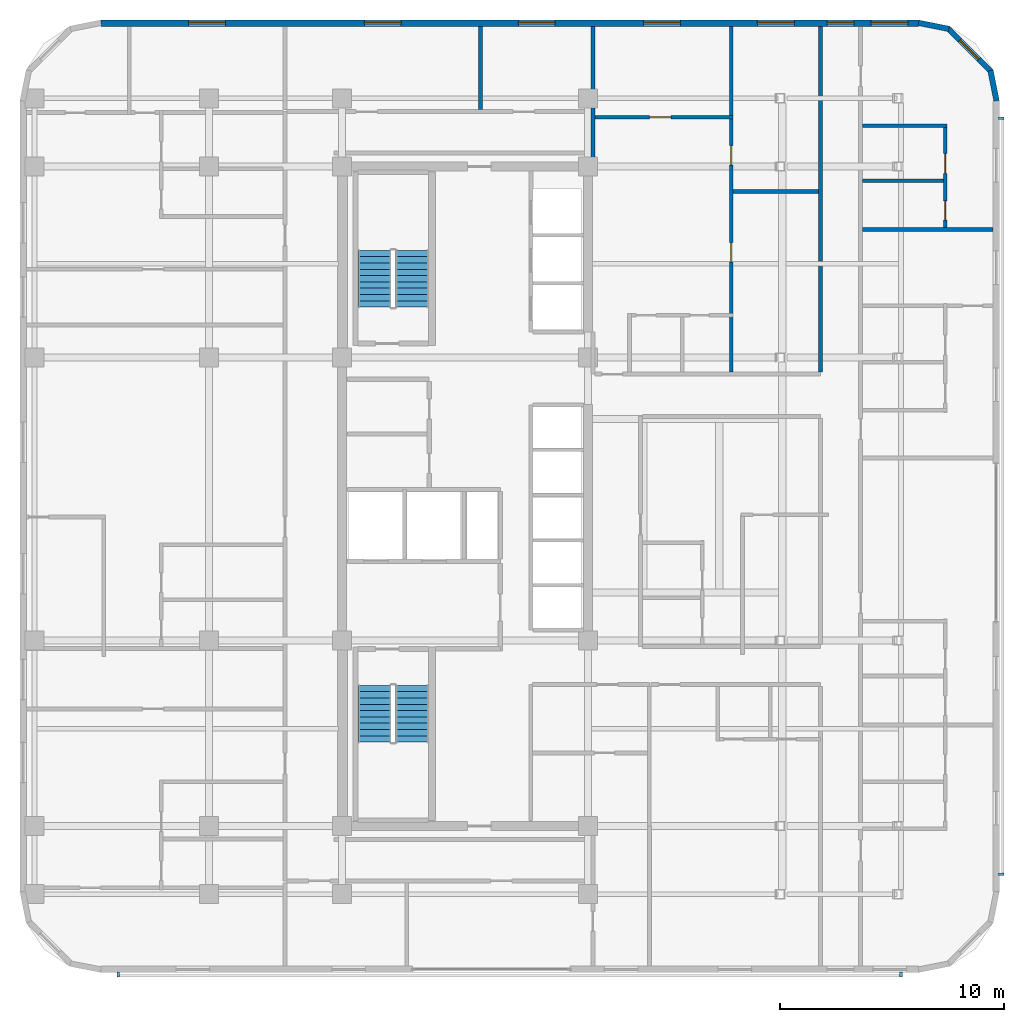
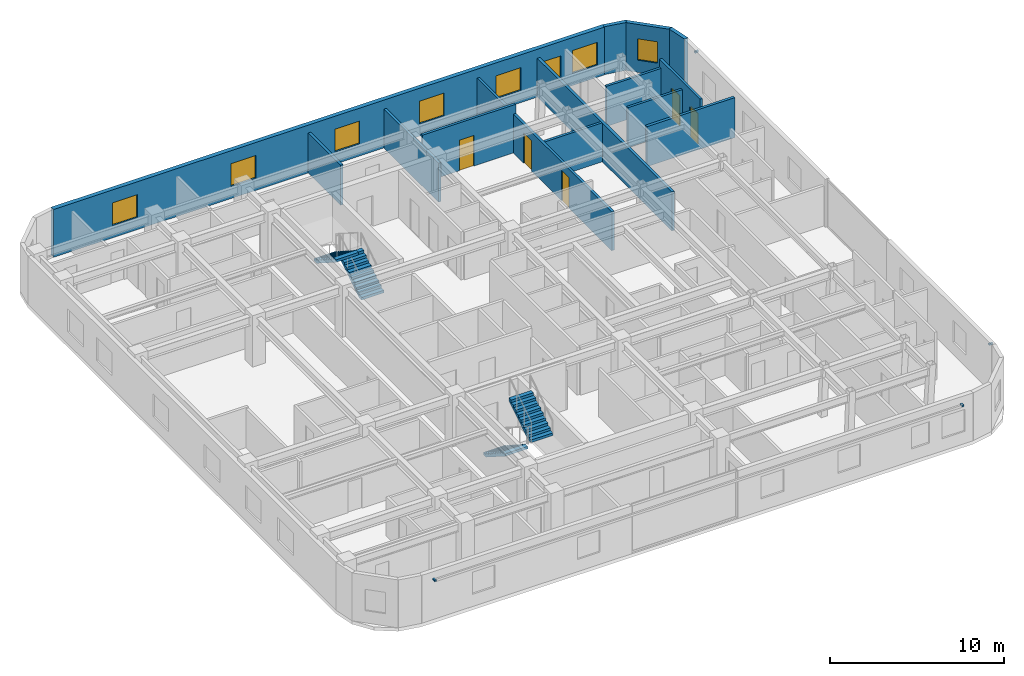
# One storey, part 10 of 14: 14 walls, 8 windows, 5 doors, 4 discrete accessories, 4 stair flights, 13 openings, 2 elements without a shape of their own.
"""IFC4 building model written with IfcOpenShell, lengths in metres."""

from ifc_helpers import new_model, si_unit, direction, frame, frame_2d, origin, origin_2d, place, context, subcontext, project, spatial, polyline, rectangle, outline, extrude, material, layer, layer_set, type_object, element, fill, aggregate, save


model = new_model("IFC4")

# Units and contexts
model_context = context("Model", 3, precision=1e-05, world=origin(), true_north=direction((0.0, 1.0)))
body_context = subcontext(model_context, "Body", "Model", "MODEL_VIEW")
ifc_project = project(units=[si_unit("LENGTHUNIT", "METRE"), si_unit("AREAUNIT", "SQUARE_METRE"), si_unit("VOLUMEUNIT", "CUBIC_METRE"), si_unit("PLANEANGLEUNIT", "RADIAN"), si_unit("MASSUNIT", "GRAM", prefix="KILO")], contexts=[model_context])

# Site, building, storey
site_placement = place(None, origin())
site = spatial("IfcSite", under=ifc_project, at=site_placement, CompositionType="ELEMENT")
building_placement = place(site_placement, origin())
building = spatial("IfcBuilding", under=site, at=building_placement, Name="Ochreholt Gables", CompositionType="ELEMENT")
storey_placement = place(building_placement, frame((0.0, 0.0, 109.800048828125)))
storey = spatial("IfcBuildingStorey", under=building, at=storey_placement, Name="L28", CompositionType="ELEMENT", Elevation=109.800048828125)

# Wall, openings, windows
ifc_material_1 = material(Name="Precast concrete 40 MPa", Category="concrete")
ifc_layer_1 = layer(ifc_material_1, 0.280029296875, Name="Precast concrete 40 MPa")
ifc_layer_set_1 = layer_set([ifc_layer_1], Name="Precast concrete 40 MPa")
wall_type_1 = type_object("IfcWallType", Name="WALL-EXT-280", PredefinedType="SOLIDWALL", material=ifc_layer_set_1)
wall_1_placement = place(storey_placement, frame((49.97998046875, 45.159912109375, 0.0), z_axis=(0.0, 0.0, 1.0), x_axis=(-1.0, 0.0, 0.0)))
wall_1 = element("IfcWall", 1, at=wall_1_placement, inside=storey, type_object=wall_type_1, Name="L28 North Exterior Wall", PredefinedType="SOLIDWALL", context=body_context, shape_type="SweptSolid", body=[
    extrude(rectangle(XDim=36.56005859375, YDim=0.280029296875, at=frame_2d((18.280029296875, 0.0))), origin(), (0.0, 0.0, 1.0), 3.35986328125),
])
opening_1_placement = place(wall_1_placement, frame((30.989990234375, 0.0, 0.85009765625)))
opening_1 = element("IfcOpeningElement", 2, at=opening_1_placement, cuts=wall_1, Name="Opening WN-7", PredefinedType="OPENING", context=body_context, shape_type="SweptSolid", body=[
    extrude(rectangle(XDim=1.64990234375, YDim=1.60009765625, at=frame_2d((0.824951171875, 0.800048828125))), frame((0.0, 0.14990234375, 0.0), z_axis=(0.0, -1.0, 0.0), x_axis=(1.0, 0.0, 0.0)), (0.0, 0.0, 1.0), 0.300048828125),
])
opening_2_placement = place(wall_1_placement, frame((23.1298828125, 0.0, 0.85009765625)))
opening_2 = element("IfcOpeningElement", 3, at=opening_2_placement, cuts=wall_1, Name="Opening WN-7", PredefinedType="OPENING", context=body_context, shape_type="SweptSolid", body=[
    extrude(rectangle(XDim=1.64990234375, YDim=1.60009765625, at=frame_2d((0.824951171875, 0.800048828125))), frame((0.0, 0.14990234375, 0.0), z_axis=(0.0, -1.0, 0.0), x_axis=(1.0, 0.0, 0.0)), (0.0, 0.0, 1.0), 0.300048828125),
])
opening_3_placement = place(wall_1_placement, frame((16.2451171875, 0.0, 0.85009765625)))
opening_3 = element("IfcOpeningElement", 4, at=opening_3_placement, cuts=wall_1, Name="Opening WN-7", PredefinedType="OPENING", context=body_context, shape_type="SweptSolid", body=[
    extrude(rectangle(XDim=1.64990234375, YDim=1.60009765625, at=frame_2d((0.824951171875, 0.800048828125))), frame((0.0, 0.14990234375, 0.0), z_axis=(0.0, -1.0, 0.0), x_axis=(1.0, 0.0, 0.0)), (0.0, 0.0, 1.0), 0.300048828125),
])
opening_4_placement = place(wall_1_placement, frame((10.639892578125, 0.0, 0.85009765625)))
opening_4 = element("IfcOpeningElement", 5, at=opening_4_placement, cuts=wall_1, Name="Opening WN-7", PredefinedType="OPENING", context=body_context, shape_type="SweptSolid", body=[
    extrude(rectangle(XDim=1.64990234375, YDim=1.60009765625, at=frame_2d((0.824951171875, 0.800048828125))), frame((0.0, 0.14990234375, 0.0), z_axis=(0.0, -1.0, 0.0), x_axis=(1.0, 0.0, 0.0)), (0.0, 0.0, 1.0), 0.300048828125),
])
opening_5_placement = place(wall_1_placement, frame((5.550048828125, 0.0, 0.85009765625)))
opening_5 = element("IfcOpeningElement", 6, at=opening_5_placement, cuts=wall_1, Name="Opening WN-7", PredefinedType="OPENING", context=body_context, shape_type="SweptSolid", body=[
    extrude(rectangle(XDim=1.64990234375, YDim=1.60009765625, at=frame_2d((0.824951171875, 0.800048828125))), frame((0.0, 0.14990234375, 0.0), z_axis=(0.0, -1.0, 0.0), x_axis=(1.0, 0.0, 0.0)), (0.0, 0.0, 1.0), 0.300048828125),
])
opening_6_placement = place(wall_1_placement, frame((2.8798828125, 0.0, 0.85009765625)))
opening_6 = element("IfcOpeningElement", 7, at=opening_6_placement, cuts=wall_1, Name="Opening WN-3", PredefinedType="OPENING", context=body_context, shape_type="SweptSolid", body=[
    extrude(rectangle(XDim=1.199951171875, YDim=1.5, at=frame_2d((0.60009765625, 0.75))), frame((0.0, 0.14990234375, 0.0), z_axis=(0.0, -1.0, 0.0), x_axis=(1.0, 0.0, 0.0)), (0.0, 0.0, 1.0), 0.300048828125),
])
opening_7_placement = place(wall_1_placement, frame((0.465087890625, 0.0, 0.85009765625)))
opening_7 = element("IfcOpeningElement", 8, at=opening_7_placement, cuts=wall_1, Name="Opening WN-7", PredefinedType="OPENING", context=body_context, shape_type="SweptSolid", body=[
    extrude(rectangle(XDim=1.64990234375, YDim=1.60009765625, at=frame_2d((0.824951171875, 0.800048828125))), frame((0.0, 0.14990234375, 0.0), z_axis=(0.0, -1.0, 0.0), x_axis=(1.0, 0.0, 0.0)), (0.0, 0.0, 1.0), 0.300048828125),
])
ifc_material_2 = material(Name="Triple-Glazed Thermally Broken Aluminium Window", Category="aluminium")
window_type_1 = type_object("IfcWindowType", Name="WIN-RES-1200", PartitioningType="SINGLE_PANEL", PredefinedType="WINDOW", material=ifc_material_2)
window_1_placement = place(opening_6_placement, origin())
window_1 = element("IfcWindow", 9, at=window_1_placement, inside=storey, type_object=window_type_1, Name="L28 Window W-EXT-N-L28-6", OverallHeight=1.5, OverallWidth=1.199951171875, PartitioningType="SINGLE_PANEL", PredefinedType="WINDOW", context=body_context, shape_type="SweptSolid", body=[
    extrude(rectangle(XDim=1.199951171875, YDim=1.5, at=frame_2d((0.60009765625, 0.75))), frame((0.0, 0.030029296875, 0.0), z_axis=(0.0, -1.0, 0.0), x_axis=(1.0, 0.0, 0.0)), (0.0, 0.0, 1.0), 0.06005859375),
])
fill(opening_6, window_1)
window_type_2 = type_object("IfcWindowType", Name="WIN-RES-1650", PartitioningType="SINGLE_PANEL", PredefinedType="WINDOW", material=ifc_material_2)
window_2_placement = place(opening_1_placement, origin())
window_2 = element("IfcWindow", 10, at=window_2_placement, inside=storey, type_object=window_type_2, Name="L28 Window W-EXT-N-L28-1", OverallHeight=1.60009765625, OverallWidth=1.64990234375, PartitioningType="SINGLE_PANEL", PredefinedType="WINDOW", context=body_context, shape_type="SweptSolid", body=[
    extrude(rectangle(XDim=1.64990234375, YDim=1.60009765625, at=frame_2d((0.824951171875, 0.800048828125))), frame((0.0, 0.030029296875, 0.0), z_axis=(0.0, -1.0, 0.0), x_axis=(1.0, 0.0, 0.0)), (0.0, 0.0, 1.0), 0.06005859375),
])
fill(opening_1, window_2)
window_3_placement = place(opening_2_placement, origin())
window_3 = element("IfcWindow", 11, at=window_3_placement, inside=storey, type_object=window_type_2, Name="L28 Window W-EXT-N-L28-2", OverallHeight=1.60009765625, OverallWidth=1.64990234375, PartitioningType="SINGLE_PANEL", PredefinedType="WINDOW", context=body_context, shape_type="SweptSolid", body=[
    extrude(rectangle(XDim=1.64990234375, YDim=1.60009765625, at=frame_2d((0.824951171875, 0.800048828125))), frame((0.0, 0.030029296875, 0.0), z_axis=(0.0, -1.0, 0.0), x_axis=(1.0, 0.0, 0.0)), (0.0, 0.0, 1.0), 0.06005859375),
])
fill(opening_2, window_3)
window_4_placement = place(opening_3_placement, origin())
window_4 = element("IfcWindow", 12, at=window_4_placement, inside=storey, type_object=window_type_2, Name="L28 Window W-EXT-N-L28-3", OverallHeight=1.60009765625, OverallWidth=1.64990234375, PartitioningType="SINGLE_PANEL", PredefinedType="WINDOW", context=body_context, shape_type="SweptSolid", body=[
    extrude(rectangle(XDim=1.64990234375, YDim=1.60009765625, at=frame_2d((0.824951171875, 0.800048828125))), frame((0.0, 0.030029296875, 0.0), z_axis=(0.0, -1.0, 0.0), x_axis=(1.0, 0.0, 0.0)), (0.0, 0.0, 1.0), 0.06005859375),
])
fill(opening_3, window_4)
window_5_placement = place(opening_4_placement, origin())
window_5 = element("IfcWindow", 13, at=window_5_placement, inside=storey, type_object=window_type_2, Name="L28 Window W-EXT-N-L28-4", OverallHeight=1.60009765625, OverallWidth=1.64990234375, PartitioningType="SINGLE_PANEL", PredefinedType="WINDOW", context=body_context, shape_type="SweptSolid", body=[
    extrude(rectangle(XDim=1.64990234375, YDim=1.60009765625, at=frame_2d((0.824951171875, 0.800048828125))), frame((0.0, 0.030029296875, 0.0), z_axis=(0.0, -1.0, 0.0), x_axis=(1.0, 0.0, 0.0)), (0.0, 0.0, 1.0), 0.06005859375),
])
fill(opening_4, window_5)
window_6_placement = place(opening_5_placement, origin())
window_6 = element("IfcWindow", 14, at=window_6_placement, inside=storey, type_object=window_type_2, Name="L28 Window W-EXT-N-L28-5", OverallHeight=1.60009765625, OverallWidth=1.64990234375, PartitioningType="SINGLE_PANEL", PredefinedType="WINDOW", context=body_context, shape_type="SweptSolid", body=[
    extrude(rectangle(XDim=1.64990234375, YDim=1.60009765625, at=frame_2d((0.824951171875, 0.800048828125))), frame((0.0, 0.030029296875, 0.0), z_axis=(0.0, -1.0, 0.0), x_axis=(1.0, 0.0, 0.0)), (0.0, 0.0, 1.0), 0.06005859375),
])
fill(opening_5, window_6)
window_7_placement = place(opening_7_placement, origin())
window_7 = element("IfcWindow", 15, at=window_7_placement, inside=storey, type_object=window_type_2, Name="L28 Window W-EXT-N-L28-7", OverallHeight=1.60009765625, OverallWidth=1.64990234375, PartitioningType="SINGLE_PANEL", PredefinedType="WINDOW", context=body_context, shape_type="SweptSolid", body=[
    extrude(rectangle(XDim=1.64990234375, YDim=1.60009765625, at=frame_2d((0.824951171875, 0.800048828125))), frame((0.0, 0.030029296875, 0.0), z_axis=(0.0, -1.0, 0.0), x_axis=(1.0, 0.0, 0.0)), (0.0, 0.0, 1.0), 0.06005859375),
])
fill(opening_7, window_7)

# Wall
ifc_layer_2 = layer(ifc_material_1, 0.25, Name="Precast concrete 40 MPa")
ifc_layer_set_2 = layer_set([ifc_layer_2], Name="Precast concrete 40 MPa")
wall_type_2 = type_object("IfcWallType", Name="WALL-EXT-CNR", PredefinedType="SOLIDWALL", material=ifc_layer_set_2)
wall_2_placement = place(storey_placement, frame((53.475830078125, 41.68359375, 0.0), z_axis=(0.0, 0.0, 1.0), x_axis=(-0.195000137217, 0.980803214965, 0.0)))
element("IfcWall", 16, at=wall_2_placement, inside=storey, type_object=wall_type_2, Name="L28 Rounded Corner Wall NE-1", PredefinedType="SOLIDWALL", context=body_context, shape_type="SweptSolid", body=[
    extrude(rectangle(XDim=1.388427734375, YDim=0.25, at=frame_2d((0.6943359375, 0.0))), origin(), (0.0, 0.0, 1.0), 3.35986328125),
])

# Wall, opening, window
wall_3_placement = place(storey_placement, frame((53.23193359375, 42.9951171875, 0.0), z_axis=(0.0, 0.0, 1.0), x_axis=(-0.707151344399, 0.707062215165, 0.0)))
wall_3 = element("IfcWall", 17, at=wall_3_placement, inside=storey, type_object=wall_type_2, Name="L28 Rounded Corner Wall NE-2", PredefinedType="SOLIDWALL", context=body_context, shape_type="SweptSolid", body=[
    extrude(rectangle(XDim=2.7392578125, YDim=0.25, at=frame_2d((1.36962890625, 0.0))), origin(), (0.0, 0.0, 1.0), 3.35986328125),
])
opening_8_placement = place(wall_3_placement, frame((0.769775390625, 0.0, 0.85009765625)))
opening_8 = element("IfcOpeningElement", 18, at=opening_8_placement, cuts=wall_3, Name="Opening WN-3", PredefinedType="OPENING", context=body_context, shape_type="SweptSolid", body=[
    extrude(rectangle(XDim=1.199951171875, YDim=1.5, at=frame_2d((0.60009765625, 0.75))), frame((0.0, 0.135009765625, 0.0), z_axis=(0.0, -1.0, 0.0), x_axis=(1.0, 0.0, 0.0)), (0.0, 0.0, 1.0), 0.27001953125),
])
window_8_placement = place(opening_8_placement, origin())
window_8 = element("IfcWindow", 19, at=window_8_placement, inside=storey, type_object=window_type_1, Name="L28 Corner Bedroom Window NE", OverallHeight=1.5, OverallWidth=1.199951171875, PartitioningType="SINGLE_PANEL", PredefinedType="WINDOW", context=body_context, shape_type="SweptSolid", body=[
    extrude(rectangle(XDim=1.199951171875, YDim=1.5, at=frame_2d((0.60009765625, 0.75))), frame((0.0, 0.030029296875, 0.0), z_axis=(0.0, -1.0, 0.0), x_axis=(1.0, 0.0, 0.0)), (0.0, 0.0, 1.0), 0.06005859375),
])
fill(opening_8, window_8)

# Walls
wall_4_placement = place(storey_placement, frame((51.345458984375, 44.905029296875, 0.0), z_axis=(0.0, 0.0, 1.0), x_axis=(-0.980809899341, 0.19496651342, 0.0)))
element("IfcWall", 20, at=wall_4_placement, inside=storey, type_object=wall_type_2, Name="L28 Rounded Corner Wall NE-3", PredefinedType="SOLIDWALL", context=body_context, shape_type="SweptSolid", body=[
    extrude(rectangle(XDim=1.388671875, YDim=0.25, at=frame_2d((0.6943359375, 0.0))), origin(), (0.0, 0.0, 1.0), 3.35986328125),
])
ifc_material_3 = material(Name="Fire-Rated Gypsum Acoustic Partition", Category="gypsum")
ifc_layer_3 = layer(ifc_material_3, 0.179931640625, Name="Fire-Rated Gypsum Acoustic Partition")
ifc_layer_set_3 = layer_set([ifc_layer_3], Name="Fire-Rated Gypsum Acoustic Partition")
wall_type_3 = type_object("IfcWallType", Name="WALL-INT-CR180", PredefinedType="STANDARD", material=ifc_layer_set_3)
wall_5_placement = place(storey_placement, frame((45.60009765625, 29.550048828125, 0.0), z_axis=(0.0, 0.0, 1.0), x_axis=(0.0, 1.0, 0.0)))
element("IfcWall", 21, at=wall_5_placement, inside=storey, type_object=wall_type_3, Name="L28 Interior Wall WI-C2FEGW3-L28", PredefinedType="STANDARD", context=body_context, shape_type="SweptSolid", body=[
    extrude(rectangle(XDim=15.469970703125, YDim=0.179931640625, at=frame_2d((7.73486328125, 0.0))), origin(), (0.0, 0.0, 1.0), 2.73095703125),
])
ifc_material_4 = material(Name="Double-Stud Acoustic Demising Wall", Category="gypsum")
ifc_layer_4 = layer(ifc_material_4, 0.179931640625, Name="Double-Stud Acoustic Demising Wall")
ifc_layer_set_4 = layer_set([ifc_layer_4], Name="Double-Stud Acoustic Demising Wall")
wall_type_4 = type_object("IfcWallType", Name="WALL-INT-DM180", PredefinedType="PARTITIONING", material=ifc_layer_set_4)
wall_6_placement = place(storey_placement, frame((35.419921875, 38.75, 0.0), z_axis=(0.0, 0.0, 1.0), x_axis=(0.0, 1.0, 0.0)))
element("IfcWall", 22, at=wall_6_placement, inside=storey, type_object=wall_type_4, Name="L28 Interior Wall WI-C2NEN-L28", PredefinedType="PARTITIONING", context=body_context, shape_type="SweptSolid", body=[
    extrude(rectangle(XDim=6.27001953125, YDim=0.179931640625, at=frame_2d((3.135009765625, 0.0))), origin(), (0.0, 0.0, 1.0), 2.73095703125),
])
wall_7_placement = place(storey_placement, frame((47.489990234375, 35.927978515625, 0.0), z_axis=(0.0, 0.0, 1.0), x_axis=(1.0, 0.0, 0.0)))
element("IfcWall", 23, at=wall_7_placement, inside=storey, type_object=wall_type_4, Name="L28 Interior Wall WI-C2FED4-L28", PredefinedType="PARTITIONING", context=body_context, shape_type="SweptSolid", body=[
    extrude(rectangle(XDim=5.830078125, YDim=0.179931640625, at=frame_2d((2.9150390625, 0.0))), origin(), (0.0, 0.0, 1.0), 2.808837890625),
])
ifc_material_5 = material(Name="Moisture-Resistant Plumbing Chase Wall", Category="gypsum")
ifc_layer_5 = layer(ifc_material_5, 0.159912109375, Name="Moisture-Resistant Plumbing Chase Wall")
ifc_layer_set_5 = layer_set([ifc_layer_5], Name="Moisture-Resistant Plumbing Chase Wall")
wall_type_5 = type_object("IfcWallType", Name="WALL-INT-PL160", PredefinedType="PLUMBINGWALL", material=ifc_layer_set_5)
wall_8_placement = place(storey_placement, frame((47.489990234375, 40.568115234375, 0.0), z_axis=(0.0, 0.0, 1.0), x_axis=(1.0, 0.0, 0.0)))
element("IfcWall", 24, at=wall_8_placement, inside=storey, type_object=wall_type_5, Name="L28 Interior Wall WU-L28FE4-WYN", PredefinedType="PLUMBINGWALL", context=body_context, shape_type="SweptSolid", body=[
    extrude(rectangle(XDim=3.775146484375, YDim=0.159912109375, at=frame_2d((1.8876953125, 0.0))), origin(), (0.0, 0.0, 1.0), 2.808837890625),
])

# Wall, openings, doors
wall_9_placement = place(storey_placement, frame((51.185302734375, 36.01806640625, 0.0), z_axis=(0.0, 0.0, 1.0), x_axis=(0.0, 1.0, 0.0)))
wall_9 = element("IfcWall", 25, at=wall_9_placement, inside=storey, type_object=wall_type_5, Name="L28 Interior Wall WU-L28FE4-WX", PredefinedType="PLUMBINGWALL", context=body_context, shape_type="SweptSolid", body=[
    extrude(rectangle(XDim=4.639892578125, YDim=0.159912109375, at=frame_2d((2.31982421875, 0.0))), origin(), (0.0, 0.0, 1.0), 3.35986328125),
])
opening_9_placement = place(wall_9_placement, frame((0.330078125, 0.0, 0.0)))
opening_9 = element("IfcOpeningElement", 26, at=opening_9_placement, cuts=wall_9, Name="Opening D-BT1", PredefinedType="OPENING", context=body_context, shape_type="SweptSolid", body=[
    extrude(rectangle(XDim=0.860107421875, YDim=2.1201171875, at=frame_2d((0.43017578125, 1.06005859375))), frame((0.0, 0.08984375, 0.0), z_axis=(0.0, -1.0, 0.0), x_axis=(1.0, 0.0, 0.0)), (0.0, 0.0, 1.0), 0.179931640625),
])
opening_10_placement = place(wall_9_placement, frame((2.423095703125, 0.0, 0.0)))
opening_10 = element("IfcOpeningElement", 27, at=opening_10_placement, cuts=wall_9, Name="Opening D-GN2", PredefinedType="OPENING", context=body_context, shape_type="SweptSolid", body=[
    extrude(rectangle(XDim=0.8798828125, YDim=2.1201171875, at=frame_2d((0.43994140625, 1.06005859375))), frame((0.0, 0.08984375, 0.0), z_axis=(0.0, -1.0, 0.0), x_axis=(1.0, 0.0, 0.0)), (0.0, 0.0, 1.0), 0.179931640625),
])
ifc_material_6 = material(Name="Engineered Oak Timber", Category="wood")
door_type_1 = type_object("IfcDoorType", Name="DR-INT-BTH860", OperationType="NOTDEFINED", PredefinedType="DOOR", material=ifc_material_6)
door_1_placement = place(opening_9_placement, origin())
door_1 = element("IfcDoor", 28, at=door_1_placement, inside=storey, type_object=door_type_1, Name="L28 Door D-U-L28FE4-BTH", OperationType="SINGLE_SWING_LEFT", OverallHeight=2.1201171875, OverallWidth=0.860107421875, PredefinedType="DOOR", context=body_context, shape_type="SweptSolid", body=[
    extrude(rectangle(XDim=0.860107421875, YDim=2.1201171875, at=frame_2d((0.43017578125, 1.06005859375))), frame((0.0, 0.02490234375, 0.0), z_axis=(0.0, -1.0, 0.0), x_axis=(1.0, 0.0, 0.0)), (0.0, 0.0, 1.0), 0.050048828125),
])
fill(opening_9, door_1)
door_type_2 = type_object("IfcDoorType", Name="DR-INT-GEN880", OperationType="NOTDEFINED", PredefinedType="DOOR", material=ifc_material_6)
door_2_placement = place(opening_10_placement, origin())
door_2 = element("IfcDoor", 29, at=door_2_placement, inside=storey, type_object=door_type_2, Name="L28 Door D-U-L28FE4-KIT", OperationType="SINGLE_SWING_RIGHT", OverallHeight=2.1201171875, OverallWidth=0.8798828125, PredefinedType="DOOR", context=body_context, shape_type="SweptSolid", body=[
    extrude(rectangle(XDim=0.8798828125, YDim=2.1201171875, at=frame_2d((0.43994140625, 1.06005859375))), frame((0.0, 0.02490234375, 0.0), z_axis=(0.0, -1.0, 0.0), x_axis=(1.0, 0.0, 0.0)), (0.0, 0.0, 1.0), 0.050048828125),
])
fill(opening_10, door_2)

# Wall
wall_10_placement = place(storey_placement, frame((47.489990234375, 38.111083984375, 0.0), z_axis=(0.0, 0.0, 1.0), x_axis=(1.0, 0.0, 0.0)))
element("IfcWall", 30, at=wall_10_placement, inside=storey, type_object=wall_type_5, Name="L28 Interior Wall WU-L28FE4-WM", PredefinedType="PLUMBINGWALL", context=body_context, shape_type="SweptSolid", body=[
    extrude(rectangle(XDim=3.615234375, YDim=0.159912109375, at=frame_2d((1.8076171875, 0.0))), origin(), (0.0, 0.0, 1.0), 2.808837890625),
])

# Wall, openings, doors
ifc_material_7 = material(Name="Gypsum Acoustic Stud Partition", Category="gypsum")
ifc_layer_6 = layer(ifc_material_7, 0.1650390625, Name="Gypsum Acoustic Stud Partition")
ifc_layer_set_6 = layer_set([ifc_layer_6], Name="Gypsum Acoustic Stud Partition")
wall_type_6 = type_object("IfcWallType", Name="WALL-INT-PT165", PredefinedType="PARTITIONING", material=ifc_layer_set_6)
wall_11_placement = place(storey_placement, frame((41.610107421875, 29.550048828125, 0.0), z_axis=(0.0, 0.0, 1.0), x_axis=(0.0, 1.0, 0.0)))
wall_11 = element("IfcWall", 31, at=wall_11_placement, inside=storey, type_object=wall_type_6, Name="L28 Interior Wall WU-L28N1-MNX", PredefinedType="PARTITIONING", context=body_context, shape_type="SweptSolid", body=[
    extrude(rectangle(XDim=15.469970703125, YDim=0.1650390625, at=frame_2d((7.73486328125, 0.0))), origin(), (0.0, 0.0, 1.0), 2.73095703125),
])
opening_11_placement = place(wall_11_placement, frame((4.91748046875, 0.0, 0.0)))
opening_11 = element("IfcOpeningElement", 32, at=opening_11_placement, cuts=wall_11, Name="Opening D-BD2", PredefinedType="OPENING", context=body_context, shape_type="SweptSolid", body=[
    extrude(rectangle(XDim=0.8798828125, YDim=2.139892578125, at=frame_2d((0.43994140625, 1.06982421875))), frame((0.0, 0.092529296875, 0.0), z_axis=(0.0, -1.0, 0.0), x_axis=(1.0, 0.0, 0.0)), (0.0, 0.0, 1.0), 0.18505859375),
])
opening_12_placement = place(wall_11_placement, frame((9.2548828125, 0.0, 0.0)))
opening_12 = element("IfcOpeningElement", 33, at=opening_12_placement, cuts=wall_11, Name="Opening D-GN2", PredefinedType="OPENING", context=body_context, shape_type="SweptSolid", body=[
    extrude(rectangle(XDim=0.8798828125, YDim=2.1201171875, at=frame_2d((0.43994140625, 1.06005859375))), frame((0.0, 0.092529296875, 0.0), z_axis=(0.0, -1.0, 0.0), x_axis=(1.0, 0.0, 0.0)), (0.0, 0.0, 1.0), 0.18505859375),
])
door_type_3 = type_object("IfcDoorType", Name="DR-INT-BED880", OperationType="NOTDEFINED", PredefinedType="DOOR", material=ifc_material_6)
door_3_placement = place(opening_11_placement, origin())
door_3 = element("IfcDoor", 34, at=door_3_placement, inside=storey, type_object=door_type_3, Name="L28 Door D-U-L28N1-BD1", OperationType="SINGLE_SWING_LEFT", OverallHeight=2.139892578125, OverallWidth=0.8798828125, PredefinedType="DOOR", context=body_context, shape_type="SweptSolid", body=[
    extrude(rectangle(XDim=0.8798828125, YDim=2.139892578125, at=frame_2d((0.43994140625, 1.06982421875))), frame((0.0, 0.02490234375, 0.0), z_axis=(0.0, -1.0, 0.0), x_axis=(1.0, 0.0, 0.0)), (0.0, 0.0, 1.0), 0.050048828125),
])
fill(opening_11, door_3)
door_4_placement = place(opening_12_placement, origin())
door_4 = element("IfcDoor", 35, at=door_4_placement, inside=storey, type_object=door_type_2, Name="L28 Door D-U-L28N1-BD2", OperationType="SINGLE_SWING_RIGHT", OverallHeight=2.1201171875, OverallWidth=0.8798828125, PredefinedType="DOOR", context=body_context, shape_type="SweptSolid", body=[
    extrude(rectangle(XDim=0.8798828125, YDim=2.1201171875, at=frame_2d((0.43994140625, 1.06005859375))), frame((0.0, 0.02490234375, 0.0), z_axis=(0.0, -1.0, 0.0), x_axis=(1.0, 0.0, 0.0)), (0.0, 0.0, 1.0), 0.050048828125),
])
fill(opening_12, door_4)

# Wall, opening, door
wall_12_placement = place(storey_placement, frame((35.510009765625, 40.949951171875, 0.0), z_axis=(0.0, 0.0, 1.0), x_axis=(1.0, 0.0, 0.0)))
wall_12 = element("IfcWall", 36, at=wall_12_placement, inside=storey, type_object=wall_type_6, Name="L28 Interior Wall WU-L28N1-DNY", PredefinedType="PARTITIONING", context=body_context, shape_type="SweptSolid", body=[
    extrude(rectangle(XDim=6.179931640625, YDim=0.1650390625, at=frame_2d((3.08984375, 0.0))), origin(), (0.0, 0.0, 1.0), 3.35986328125),
])
opening_13_placement = place(wall_12_placement, frame((2.455078125, 0.0, 0.0)))
opening_13 = element("IfcOpeningElement", 37, at=opening_13_placement, cuts=wall_12, Name="Opening D-GN1", PredefinedType="OPENING", context=body_context, shape_type="SweptSolid", body=[
    extrude(rectangle(XDim=0.949951171875, YDim=2.14990234375, at=frame_2d((0.47509765625, 1.074951171875))), frame((0.0, 0.092529296875, 0.0), z_axis=(0.0, -1.0, 0.0), x_axis=(1.0, 0.0, 0.0)), (0.0, 0.0, 1.0), 0.18505859375),
])
door_type_4 = type_object("IfcDoorType", Name="DR-INT-GEN950", OperationType="NOTDEFINED", PredefinedType="DOOR", material=ifc_material_6)
door_5_placement = place(opening_13_placement, origin())
door_5 = element("IfcDoor", 38, at=door_5_placement, inside=storey, type_object=door_type_4, Name="L28 Door D-U-L28N1-DIN", OperationType="SINGLE_SWING_RIGHT", OverallHeight=2.14990234375, OverallWidth=0.949951171875, PredefinedType="DOOR", context=body_context, shape_type="SweptSolid", body=[
    extrude(rectangle(XDim=0.949951171875, YDim=2.14990234375, at=frame_2d((0.47509765625, 1.074951171875))), frame((0.0, 0.02490234375, 0.0), z_axis=(0.0, -1.0, 0.0), x_axis=(1.0, 0.0, 0.0)), (0.0, 0.0, 1.0), 0.050048828125),
])
fill(opening_13, door_5)

# Walls
wall_13_placement = place(storey_placement, frame((41.68994140625, 37.6298828125, 0.0), z_axis=(0.0, 0.0, 1.0), x_axis=(1.0, 0.0, 0.0)))
element("IfcWall", 39, at=wall_13_placement, inside=storey, type_object=wall_type_6, Name="L28 Interior Wall WU-L28N1-RDV", PredefinedType="PARTITIONING", context=body_context, shape_type="SweptSolid", body=[
    extrude(rectangle(XDim=3.820068359375, YDim=0.1650390625, at=frame_2d((1.91015625, 0.0))), origin(), (0.0, 0.0, 1.0), 2.73095703125),
])
wall_14_placement = place(storey_placement, frame((30.39990234375, 41.2900390625, 0.0), z_axis=(0.0, 0.0, 1.0), x_axis=(0.0, 1.0, 0.0)))
element("IfcWall", 40, at=wall_14_placement, inside=storey, type_object=wall_type_6, Name="L28 Interior Wall WI-C2PKN-L28", PredefinedType="PARTITIONING", context=body_context, shape_type="SweptSolid", body=[
    extrude(rectangle(XDim=3.72998046875, YDim=0.1650390625, at=frame_2d((1.864990234375, 0.0))), origin(), (0.0, 0.0, 1.0), 2.808837890625),
])

# Stair, stair flights
ifc_material_8 = material(Name="Concrete 40 MPa", Category="concrete")
stair_type_1 = type_object("IfcStairType", Name="STAIR-CORE-ST-1", PredefinedType="HALF_TURN_STAIR", material=ifc_material_8)
stair_1_placement = place(storey_placement, origin())
stair_1 = element("IfcStair", 41, at=stair_1_placement, inside=storey, type_object=stair_type_1, Name="L28 Core Exit Stair 1", PredefinedType="HALF_TURN_STAIR")
stair_flight_type = type_object("IfcStairFlightType", Name="FLIGHT-ST-1480-1800", PredefinedType="STRAIGHT", material=ifc_material_8)
stair_flight_1_placement = place(storey_placement, frame((25.659912109375, 15.5400390625, 0.0), z_axis=(0.0, 0.0, 1.0), x_axis=(0.0, -1.0, 0.0)))
stair_flight_1 = element("IfcStairFlight", 42, at=stair_flight_1_placement, type_object=stair_flight_type, Name="ST-1 flight 1", NumberOfRisers=10, NumberOfTreads=9, PredefinedType="STRAIGHT", RiserHeight=0.18, TreadLength=0.282, context=body_context, shape_type="SweptSolid", body=[
    extrude(outline(polyline([(0.0, 0.0), (0.0, 0.179931640625), (0.281982421875, 0.179931640625), (0.281982421875, 0.360107421875), (0.56396484375, 0.360107421875), (0.56396484375, 0.5400390625), (0.845947265625, 0.5400390625), (0.845947265625, 0.719970703125), (1.1279296875, 0.719970703125), (1.1279296875, 0.89990234375), (1.409912109375, 0.89990234375), (1.409912109375, 1.080078125), (1.69189453125, 1.080078125), (1.69189453125, 1.260009765625), (1.97412109375, 1.260009765625), (1.97412109375, 1.43994140625), (2.256103515625, 1.43994140625), (2.256103515625, 1.6201171875), (2.5380859375, 1.6201171875), (2.5380859375, 1.800048828125), (2.5380859375, 1.442138671875), (0.278564453125, 0.0), (0.0, 0.0)])), frame((0.0, 0.739990234375, 0.0), z_axis=(0.0, -1.0, 0.0), x_axis=(1.0, 0.0, 0.0)), (0.0, 0.0, 1.0), 1.47998046875),
])
stair_flight_2_placement = place(storey_placement, frame((27.340087890625, 13.001953125, 1.800048828125), z_axis=(0.0, 0.0, 1.0), x_axis=(0.0, 1.0, 0.0)))
stair_flight_2 = element("IfcStairFlight", 43, at=stair_flight_2_placement, type_object=stair_flight_type, Name="ST-1 flight 2", NumberOfRisers=10, NumberOfTreads=9, PredefinedType="STRAIGHT", RiserHeight=0.18, TreadLength=0.282, context=body_context, shape_type="SweptSolid", body=[
    extrude(outline(polyline([(0.0, 0.0), (0.0, 0.179931640625), (0.281982421875, 0.179931640625), (0.281982421875, 0.360107421875), (0.56396484375, 0.360107421875), (0.56396484375, 0.5400390625), (0.845947265625, 0.5400390625), (0.845947265625, 0.719970703125), (1.1279296875, 0.719970703125), (1.1279296875, 0.89990234375), (1.409912109375, 0.89990234375), (1.409912109375, 1.080078125), (1.69189453125, 1.080078125), (1.69189453125, 1.260009765625), (1.97412109375, 1.260009765625), (1.97412109375, 1.43994140625), (2.256103515625, 1.43994140625), (2.256103515625, 1.6201171875), (2.5380859375, 1.6201171875), (2.5380859375, 1.800048828125), (2.5380859375, 1.442138671875), (0.278564453125, 0.0), (0.0, 0.0)])), frame((0.0, 0.739990234375, 0.0), z_axis=(0.0, -1.0, 0.0), x_axis=(1.0, 0.0, 0.0)), (0.0, 0.0, 1.0), 1.47998046875),
])
aggregate(stair_1, [stair_flight_1, stair_flight_2])

stair_type_2 = type_object("IfcStairType", Name="STAIR-CORE-ST-2", PredefinedType="HALF_TURN_STAIR", material=ifc_material_8)
stair_2_placement = place(storey_placement, origin())
stair_2 = element("IfcStair", 44, at=stair_2_placement, inside=storey, type_object=stair_type_2, Name="L28 Core Exit Stair 2", PredefinedType="HALF_TURN_STAIR")
stair_flight_3_placement = place(storey_placement, frame((27.340087890625, 32.4599609375, 0.0), z_axis=(0.0, 0.0, 1.0), x_axis=(0.0, 1.0, 0.0)))
stair_flight_3 = element("IfcStairFlight", 45, at=stair_flight_3_placement, type_object=stair_flight_type, Name="ST-2 flight 1", NumberOfRisers=10, NumberOfTreads=9, PredefinedType="STRAIGHT", RiserHeight=0.18, TreadLength=0.282, context=body_context, shape_type="SweptSolid", body=[
    extrude(outline(polyline([(0.0, 0.0), (0.0, 0.179931640625), (0.281982421875, 0.179931640625), (0.281982421875, 0.360107421875), (0.56396484375, 0.360107421875), (0.56396484375, 0.5400390625), (0.845947265625, 0.5400390625), (0.845947265625, 0.719970703125), (1.1279296875, 0.719970703125), (1.1279296875, 0.89990234375), (1.409912109375, 0.89990234375), (1.409912109375, 1.080078125), (1.69189453125, 1.080078125), (1.69189453125, 1.260009765625), (1.97412109375, 1.260009765625), (1.97412109375, 1.43994140625), (2.256103515625, 1.43994140625), (2.256103515625, 1.6201171875), (2.5380859375, 1.6201171875), (2.5380859375, 1.800048828125), (2.5380859375, 1.442138671875), (0.278564453125, 0.0), (0.0, 0.0)])), frame((0.0, 0.739990234375, 0.0), z_axis=(0.0, -1.0, 0.0), x_axis=(1.0, 0.0, 0.0)), (0.0, 0.0, 1.0), 1.47998046875),
])
stair_flight_4_placement = place(storey_placement, frame((25.659912109375, 34.998046875, 1.800048828125), z_axis=(0.0, 0.0, 1.0), x_axis=(0.0, -1.0, 0.0)))
stair_flight_4 = element("IfcStairFlight", 46, at=stair_flight_4_placement, type_object=stair_flight_type, Name="ST-2 flight 2", NumberOfRisers=10, NumberOfTreads=9, PredefinedType="STRAIGHT", RiserHeight=0.18, TreadLength=0.282, context=body_context, shape_type="SweptSolid", body=[
    extrude(outline(polyline([(0.0, 0.0), (0.0, 0.179931640625), (0.281982421875, 0.179931640625), (0.281982421875, 0.360107421875), (0.56396484375, 0.360107421875), (0.56396484375, 0.5400390625), (0.845947265625, 0.5400390625), (0.845947265625, 0.719970703125), (1.1279296875, 0.719970703125), (1.1279296875, 0.89990234375), (1.409912109375, 0.89990234375), (1.409912109375, 1.080078125), (1.69189453125, 1.080078125), (1.69189453125, 1.260009765625), (1.97412109375, 1.260009765625), (1.97412109375, 1.43994140625), (2.256103515625, 1.43994140625), (2.256103515625, 1.6201171875), (2.5380859375, 1.6201171875), (2.5380859375, 1.800048828125), (2.5380859375, 1.442138671875), (0.278564453125, 0.0), (0.0, 0.0)])), frame((0.0, 0.739990234375, 0.0), z_axis=(0.0, -1.0, 0.0), x_axis=(1.0, 0.0, 0.0)), (0.0, 0.0, 1.0), 1.47998046875),
])
aggregate(stair_2, [stair_flight_3, stair_flight_4])

# Discrete accessories
ifc_material_9 = material(Name="Extruded Aluminium Standoff Bracket", Category="aluminium")
discrete_accessory_type = type_object("IfcDiscreteAccessoryType", Name="ACC-BRACKET-AL", PredefinedType="BRACKET", material=ifc_material_9)
for number, where, z_axis, x_axis, name in (
    (47, (14.199951171875, 2.610107421875, 2.77978515625), (0.0, 0.0, 1.0), (1.0, 0.0, 0.0), "L28 Baguette Standoff Bracket S1-1"),
    (48, (49.199951171875, 2.610107421875, 2.77978515625), (0.0, 0.0, 1.0), (1.0, 0.0, 0.0), "L28 Baguette Standoff Bracket S1-2"),
    (49, (53.68994140625, 7.10009765625, 2.77978515625), (0.0, 0.0, 1.0), (0.0, 1.0, 0.0), "L28 Baguette Standoff Bracket E1-1"),
    (50, (53.68994140625, 40.89990234375, 2.77978515625), (0.0, 0.0, 1.0), (0.0, 1.0, 0.0), "L28 Baguette Standoff Bracket E1-2"),
):
    element("IfcDiscreteAccessory", number, at=place(storey_placement, frame(where, z_axis=z_axis, x_axis=x_axis)), inside=storey, type_object=discrete_accessory_type, Name=name, PredefinedType="BRACKET", context=body_context, shape_type="SweptSolid", body=[
        extrude(rectangle(XDim=0.1201171875, YDim=0.239990234375, at=origin_2d()), origin(), (0.0, 0.0, 1.0), 0.1201171875),
    ])

save(model, "model.ifc")
